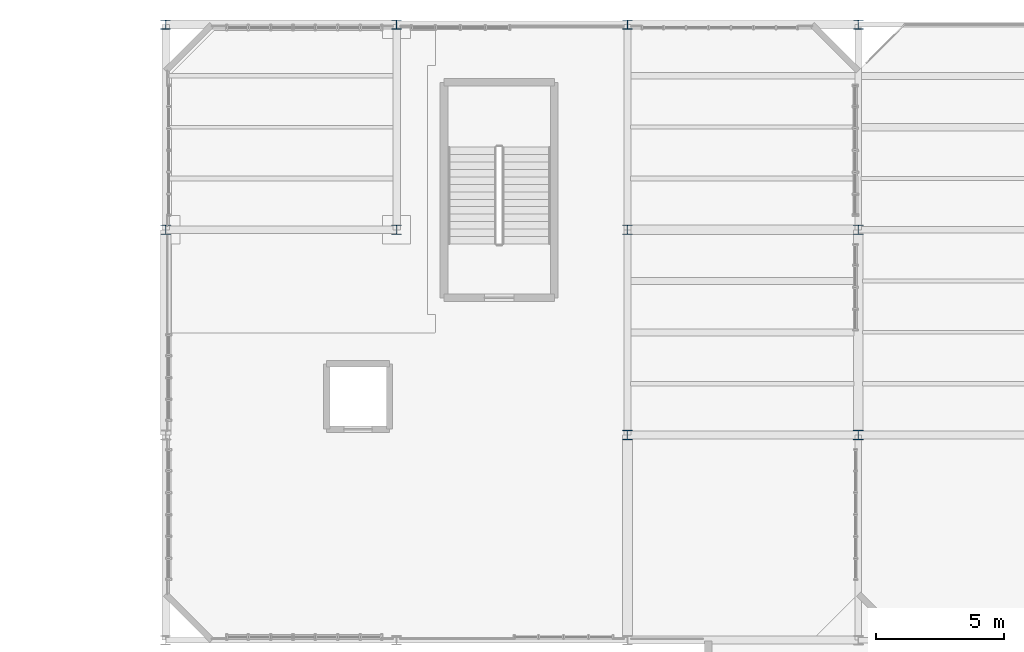
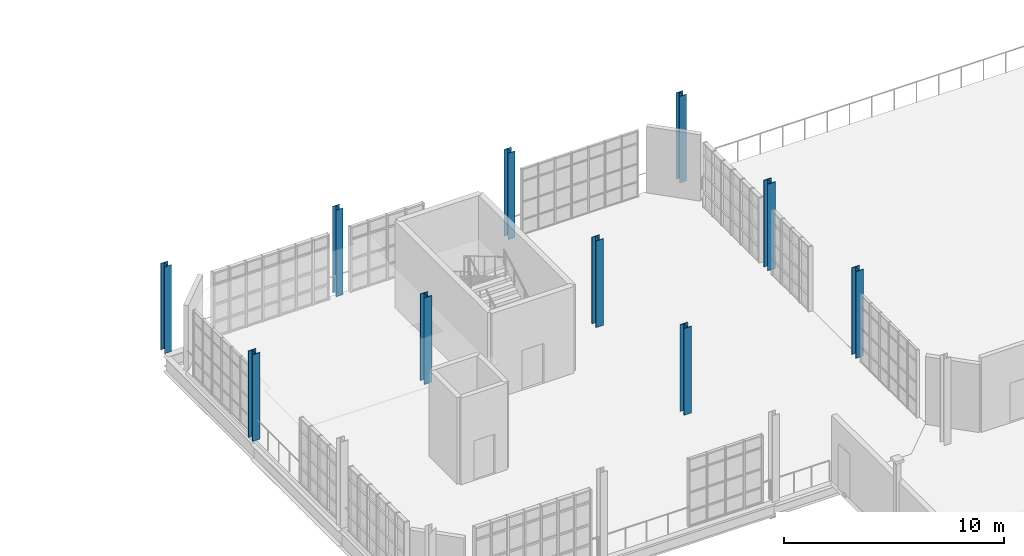
# One storey, part 5 of 85: 10 columns.
"""IFC4 building model written with IfcOpenShell, lengths in metres."""

from ifc_helpers import new_model, si_unit, direction, frame, origin, origin_2d, place, context, subcontext, project, spatial, i_section, extrude, material, material_profile, profile_set, type_object, element, save


model = new_model("IFC4")

# Units and contexts
model_context = context("Model", 3, precision=1e-05, world=origin(), true_north=direction((0.0, 1.0)))
body_context = subcontext(model_context, "Body", "Model", "MODEL_VIEW")
ifc_project = project(units=[si_unit("LENGTHUNIT", "METRE"), si_unit("AREAUNIT", "SQUARE_METRE"), si_unit("VOLUMEUNIT", "CUBIC_METRE"), si_unit("PLANEANGLEUNIT", "RADIAN"), si_unit("MASSUNIT", "GRAM", prefix="KILO"), si_unit("THERMODYNAMICTEMPERATUREUNIT", "KELVIN"), si_unit("POWERUNIT", "WATT")], contexts=[model_context])

# Site, building, storey
site_placement = place(None, origin())
site = spatial("IfcSite", under=ifc_project, at=site_placement, CompositionType="ELEMENT")
building_placement = place(site_placement, origin())
building = spatial("IfcBuilding", under=site, at=building_placement, Name="Zelmaris Science Centre", CompositionType="ELEMENT")
storey_placement = place(building_placement, frame((0.0, 0.0, 20.39990234375)))
storey = spatial("IfcBuildingStorey", under=building, at=storey_placement, Name="L04", CompositionType="ELEMENT", Elevation=20.39990234375)

# Columns
ifc_material = material(Name="Steel ASTM A992 Grade 50", Category="steel")
ifc_material_profile_1 = material_profile(ifc_material, i_section(OverallWidth=0.39892578125, OverallDepth=0.385986328125, WebThickness=0.02099609375, FlangeThickness=0.033203125, FilletRadius=0.014892578125, at=origin_2d()), Name="W14X176")
ifc_profile_set_1 = profile_set([ifc_material_profile_1], Name="Steel ASTM A992 Grade 50")
column_type_1 = type_object("IfcColumnType", Name="Column C-04 W14X176", PredefinedType="COLUMN", material=ifc_profile_set_1)
for number, where, z_axis, x_axis, name in (
    (1, (54.0, 80.0, 0.0), (0.0, 0.0, 1.0), (1.0, 0.0, 0.0), "Column V5-C-54-80 L04"),
    (2, (63.0, 80.0, 0.0), (0.0, 0.0, 1.0), (1.0, 0.0, 0.0), "Column V5-C-63-80 L04"),
    (3, (72.0, 72.0, 0.0), (0.0, 0.0, 1.0), (1.0, 0.0, 0.0), "Column V5-C-72-72 L04"),
    (4, (72.0, 80.0, 0.0), (0.0, 0.0, 1.0), (1.0, 0.0, 0.0), "Column V5-C-72-80 L04"),
    (5, (81.0, 72.0, 0.0), (0.0, 0.0, 1.0), (1.0, 0.0, 0.0), "Column V5-C-81-72 L04"),
    (6, (81.0, 80.0, 0.0), (0.0, 0.0, 1.0), (1.0, 0.0, 0.0), "Column V5-C-81-80 L04"),
):
    element("IfcColumn", number, at=place(storey_placement, frame(where, z_axis=z_axis, x_axis=x_axis)), inside=storey, type_object=column_type_1, Name=name, PredefinedType="COLUMN", context=body_context, shape_type="SweptSolid", body=[
        extrude(i_section(OverallWidth=0.39892578125, OverallDepth=0.385986328125, WebThickness=0.02099609375, FlangeThickness=0.033203125, FilletRadius=0.014892578125, at=origin_2d()), origin(), (0.0, 0.0, 1.0), 4.800048828125),
    ])
ifc_material_profile_2 = material_profile(ifc_material, i_section(OverallWidth=0.367919921875, OverallDepth=0.35595703125, WebThickness=0.01123046875, FlangeThickness=0.01806640625, FilletRadius=0.014892578125, at=origin_2d()), Name="W14X90")
ifc_profile_set_2 = profile_set([ifc_material_profile_2], Name="Steel ASTM A992 Grade 50")
column_type_2 = type_object("IfcColumnType", Name="Column C-07 W14X90", PredefinedType="COLUMN", material=ifc_profile_set_2)
for number, where, z_axis, x_axis, name in (
    (7, (54.0, 88.0, 0.0), (0.0, 0.0, 1.0), (1.0, 0.0, 0.0), "Column V5-C-54-88 L04"),
    (8, (63.0, 88.0, 0.0), (0.0, 0.0, 1.0), (1.0, 0.0, 0.0), "Column V5-C-63-88 L04"),
    (9, (72.0, 88.0, 0.0), (0.0, 0.0, 1.0), (1.0, 0.0, 0.0), "Column V5-C-72-88 L04"),
    (10, (81.0, 88.0, 0.0), (0.0, 0.0, 1.0), (1.0, 0.0, 0.0), "Column V5-C-81-88 L04"),
):
    element("IfcColumn", number, at=place(storey_placement, frame(where, z_axis=z_axis, x_axis=x_axis)), inside=storey, type_object=column_type_2, Name=name, PredefinedType="COLUMN", context=body_context, shape_type="SweptSolid", body=[
        extrude(i_section(OverallWidth=0.367919921875, OverallDepth=0.35595703125, WebThickness=0.01123046875, FlangeThickness=0.01806640625, FilletRadius=0.014892578125, at=origin_2d()), origin(), (0.0, 0.0, 1.0), 4.800048828125),
    ])

save(model, "model.ifc")
